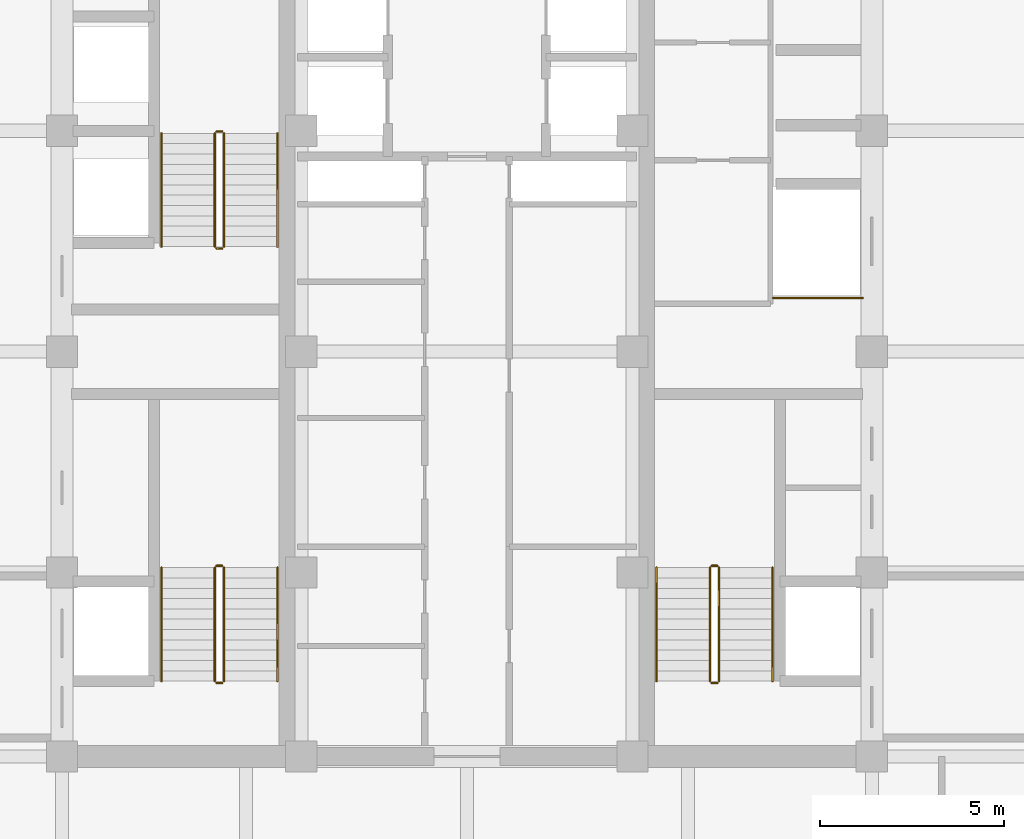
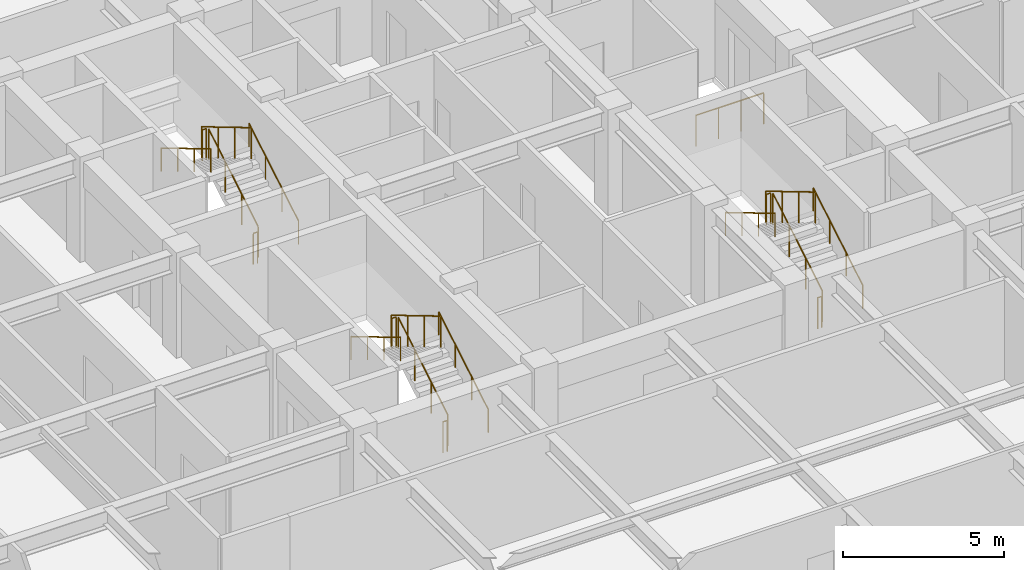
# One storey, part 24 of 24: 19 railings.
"""IFC4 building model written with IfcOpenShell, lengths in metres."""

from ifc_helpers import new_model, si_unit, direction, frame, origin, origin_2d, place, context, subcontext, project, spatial, circle, extrude, source, transform, mapped, material, type_object, element, save


model = new_model("IFC4")

# Units and contexts
model_context = context("Model", 3, precision=1e-05, world=origin(), true_north=direction((0.0, 1.0)))
body_context = subcontext(model_context, "Body", "Model", "MODEL_VIEW")
ifc_project = project(units=[si_unit("LENGTHUNIT", "METRE"), si_unit("AREAUNIT", "SQUARE_METRE"), si_unit("VOLUMEUNIT", "CUBIC_METRE"), si_unit("PLANEANGLEUNIT", "RADIAN"), si_unit("MASSUNIT", "GRAM", prefix="KILO")], contexts=[model_context])

# Site, building, storey
site_placement = place(None, origin())
site = spatial("IfcSite", under=ifc_project, at=site_placement, CompositionType="ELEMENT")
building_placement = place(site_placement, origin())
building = spatial("IfcBuilding", under=site, at=building_placement, Name="Khorayat Bourse Tower", CompositionType="ELEMENT")
storey_placement = place(building_placement, frame((0.0, 0.0, 259.10009765625)))
storey = spatial("IfcBuildingStorey", under=building, at=storey_placement, Name="L61", CompositionType="ELEMENT", Elevation=259.10009765625)

# Railings
ifc_material_1 = material(Name="Powder-coated steel balustrade", Category="steel")
railing_type_1 = type_object("IfcRailingType", Name="RLG-GUARD-1200", PredefinedType="GUARDRAIL", material=ifc_material_1)
shared_shape_1 = source(origin(), body_context, "Body", "SweptSolid", [
    extrude(circle(Radius=0.02392578125, at=origin_2d()), frame((0.0, 0.0, 1.17578125), z_axis=(-1.0, 0.0, 0.0), x_axis=(0.0, -1.0, 0.0)), (0.0, 0.0, 1.0), 0.150146484375),
    extrude(circle(Radius=0.02099609375, at=origin_2d()), origin(), (0.0, 0.0, 1.0), 1.15185546875),
    extrude(circle(Radius=0.02099609375, at=origin_2d()), frame((-0.150146484375, 0.0, 0.0)), (0.0, 0.0, 1.0), 1.15185546875),
])
for number, where, name in (
    (1, (-6.64990234375, -5.820068359375, 2.0), "L61 ST-1 stair guard 2"),
    (2, (-6.64990234375, -9.0, 0.0), "L61 ST-1 stair guard 4"),
    (3, (-6.64990234375, 5.97998046875, 2.0), "L61 ST-2 stair guard 2"),
    (4, (-6.64990234375, 2.800048828125, 0.0), "L61 ST-2 stair guard 4"),
    (5, (6.800048828125, -5.820068359375, 2.0), "L61 ST-3 stair guard 2"),
    (6, (6.800048828125, -9.0, 0.0), "L61 ST-3 stair guard 4"),
):
    element("IfcRailing", number, at=place(storey_placement, frame(where)), inside=storey, type_object=railing_type_1, Name=name, PredefinedType="GUARDRAIL", context=body_context, shape_type="MappedRepresentation", body=[
        mapped(shared_shape_1, transform((0.0, 0.0, 0.0), scale=1.0)),
    ])
shared_shape_2 = source(origin(), body_context, "Body", "SweptSolid", [
    extrude(circle(Radius=0.02392578125, at=origin_2d()), frame((0.0, 0.0, 1.17578125), z_axis=(0.0, 0.859260807169, 0.511537745687), x_axis=(-1.0, 0.0, 0.0)), (0.0, 0.0, 1.0), 3.584228515625),
    extrude(circle(Radius=0.02099609375, at=origin_2d()), origin(), (0.0, 0.0, 1.0), 1.15185546875),
    extrude(circle(Radius=0.02099609375, at=origin_2d()), frame((0.0, 1.026611328125, 0.611083984375)), (0.0, 0.0, 1.0), 1.15185546875),
    extrude(circle(Radius=0.02099609375, at=origin_2d()), frame((0.0, 2.05322265625, 1.222412109375)), (0.0, 0.0, 1.0), 1.15185546875),
    extrude(circle(Radius=0.02099609375, at=origin_2d()), frame((0.0, 3.079833984375, 1.83349609375)), (0.0, 0.0, 1.0), 1.15185546875),
])
for number, where, name in (
    (7, (-6.60009765625, -8.949951171875, 0.16650390625), "L61 ST-1 stair guard 1"),
    (8, (-6.60009765625, 2.85009765625, 0.16650390625), "L61 ST-2 stair guard 1"),
    (9, (6.85009765625, -8.949951171875, 0.16650390625), "L61 ST-3 stair guard 1"),
):
    element("IfcRailing", number, at=place(storey_placement, frame(where)), inside=storey, type_object=railing_type_1, Name=name, PredefinedType="GUARDRAIL", context=body_context, shape_type="MappedRepresentation", body=[
        mapped(shared_shape_2, transform((0.0, 0.0, 0.0), scale=1.0)),
    ])
shared_shape_3 = source(origin(), body_context, "Body", "SweptSolid", [
    extrude(circle(Radius=0.02392578125, at=origin_2d()), frame((0.0, 0.0, 1.17578125), z_axis=(0.0, -0.859260807169, 0.511537745687), x_axis=(1.0, 0.0, 0.0)), (0.0, 0.0, 1.0), 3.584228515625),
    extrude(circle(Radius=0.02099609375, at=origin_2d()), origin(), (0.0, 0.0, 1.0), 1.15185546875),
    extrude(circle(Radius=0.02099609375, at=origin_2d()), frame((0.0, -1.026611328125, 0.611083984375)), (0.0, 0.0, 1.0), 1.15185546875),
    extrude(circle(Radius=0.02099609375, at=origin_2d()), frame((0.0, -2.05322265625, 1.222412109375)), (0.0, 0.0, 1.0), 1.15185546875),
    extrude(circle(Radius=0.02099609375, at=origin_2d()), frame((0.0, -3.079833984375, 1.83349609375)), (0.0, 0.0, 1.0), 1.15185546875),
])
for number, where, name in (
    (10, (-6.85009765625, -5.8701171875, 2.16650390625), "L61 ST-1 stair guard 3"),
    (11, (-6.85009765625, 5.929931640625, 2.16650390625), "L61 ST-2 stair guard 3"),
    (12, (6.60009765625, -5.8701171875, 2.16650390625), "L61 ST-3 stair guard 3"),
):
    element("IfcRailing", number, at=place(storey_placement, frame(where)), inside=storey, type_object=railing_type_1, Name=name, PredefinedType="GUARDRAIL", context=body_context, shape_type="MappedRepresentation", body=[
        mapped(shared_shape_3, transform((0.0, 0.0, 0.0), scale=1.0)),
    ])
ifc_material_2 = material(Name="Brushed bronze stainless-steel handrail", Category="steel")
railing_type_2 = type_object("IfcRailingType", Name="RLG-HAND-900", PredefinedType="HANDRAIL", material=ifc_material_2)
shared_shape_4 = source(origin(), body_context, "Body", "SweptSolid", [
    extrude(circle(Radius=0.02392578125, at=origin_2d()), frame((0.0, 0.0, 0.8759765625), z_axis=(0.0, 0.859260807169, 0.511537745687), x_axis=(-1.0, 0.0, 0.0)), (0.0, 0.0, 1.0), 3.584228515625),
    extrude(circle(Radius=0.02099609375, at=origin_2d()), origin(), (0.0, 0.0, 1.0), 0.851806640625),
    extrude(circle(Radius=0.02099609375, at=origin_2d()), frame((0.0, 1.026611328125, 0.611083984375)), (0.0, 0.0, 1.0), 0.851806640625),
    extrude(circle(Radius=0.02099609375, at=origin_2d()), frame((0.0, 2.05322265625, 1.222412109375)), (0.0, 0.0, 1.0), 0.851806640625),
    extrude(circle(Radius=0.02099609375, at=origin_2d()), frame((0.0, 3.079833984375, 1.83349609375)), (0.0, 0.0, 1.0), 0.851806640625),
])
for number, where, name in (
    (13, (-5.14990234375, -8.949951171875, 0.16650390625), "L61 ST-1 stair handrail 1"),
    (14, (-5.14990234375, 2.85009765625, 0.16650390625), "L61 ST-2 stair handrail 1"),
    (15, (8.300048828125, -8.949951171875, 0.16650390625), "L61 ST-3 stair handrail 1"),
):
    element("IfcRailing", number, at=place(storey_placement, frame(where)), inside=storey, type_object=railing_type_2, Name=name, PredefinedType="HANDRAIL", context=body_context, shape_type="MappedRepresentation", body=[
        mapped(shared_shape_4, transform((0.0, 0.0, 0.0), scale=1.0)),
    ])
shared_shape_5 = source(origin(), body_context, "Body", "SweptSolid", [
    extrude(circle(Radius=0.02392578125, at=origin_2d()), frame((0.0, 0.0, 0.8759765625), z_axis=(0.0, -0.859260807169, 0.511537745687), x_axis=(1.0, 0.0, 0.0)), (0.0, 0.0, 1.0), 3.584228515625),
    extrude(circle(Radius=0.02099609375, at=origin_2d()), origin(), (0.0, 0.0, 1.0), 0.851806640625),
    extrude(circle(Radius=0.02099609375, at=origin_2d()), frame((0.0, -1.026611328125, 0.611083984375)), (0.0, 0.0, 1.0), 0.851806640625),
    extrude(circle(Radius=0.02099609375, at=origin_2d()), frame((0.0, -2.05322265625, 1.222412109375)), (0.0, 0.0, 1.0), 0.851806640625),
    extrude(circle(Radius=0.02099609375, at=origin_2d()), frame((0.0, -3.079833984375, 1.83349609375)), (0.0, 0.0, 1.0), 0.851806640625),
])
for number, where, name in (
    (16, (-8.300048828125, -5.8701171875, 2.16650390625), "L61 ST-1 stair handrail 2"),
    (17, (-8.300048828125, 5.929931640625, 2.16650390625), "L61 ST-2 stair handrail 2"),
    (18, (5.14990234375, -5.8701171875, 2.16650390625), "L61 ST-3 stair handrail 2"),
):
    element("IfcRailing", number, at=place(storey_placement, frame(where)), inside=storey, type_object=railing_type_2, Name=name, PredefinedType="HANDRAIL", context=body_context, shape_type="MappedRepresentation", body=[
        mapped(shared_shape_5, transform((0.0, 0.0, 0.0), scale=1.0)),
    ])
shared_shape_6 = source(origin(), body_context, "Body", "SweptSolid", [
    extrude(circle(Radius=0.02392578125, at=origin_2d()), frame((0.0, 0.0, 1.17578125), z_axis=(1.0, 0.0, 0.0), x_axis=(0.0, 1.0, 0.0)), (0.0, 0.0, 1.0), 2.429931640625),
    extrude(circle(Radius=0.02099609375, at=origin_2d()), origin(), (0.0, 0.0, 1.0), 1.15185546875),
    extrude(circle(Radius=0.02099609375, at=origin_2d()), frame((0.81005859375, 0.0, 0.0)), (0.0, 0.0, 1.0), 1.15185546875),
    extrude(circle(Radius=0.02099609375, at=origin_2d()), frame((1.619873046875, 0.0, 0.0)), (0.0, 0.0, 1.0), 1.15185546875),
    extrude(circle(Radius=0.02099609375, at=origin_2d()), frame((2.429931640625, 0.0, 0.0)), (0.0, 0.0, 1.0), 1.15185546875),
])
railing_placement = place(storey_placement, frame((8.320068359375, 1.4599609375, 0.0)))
element("IfcRailing", 19, at=railing_placement, inside=storey, type_object=railing_type_1, Name="L61 Goods Shaft Opening Guardrail", PredefinedType="GUARDRAIL", context=body_context, shape_type="MappedRepresentation", body=[
    mapped(shared_shape_6, transform((0.0, 0.0, 0.0), scale=1.0)),
])

save(model, "model.ifc")
